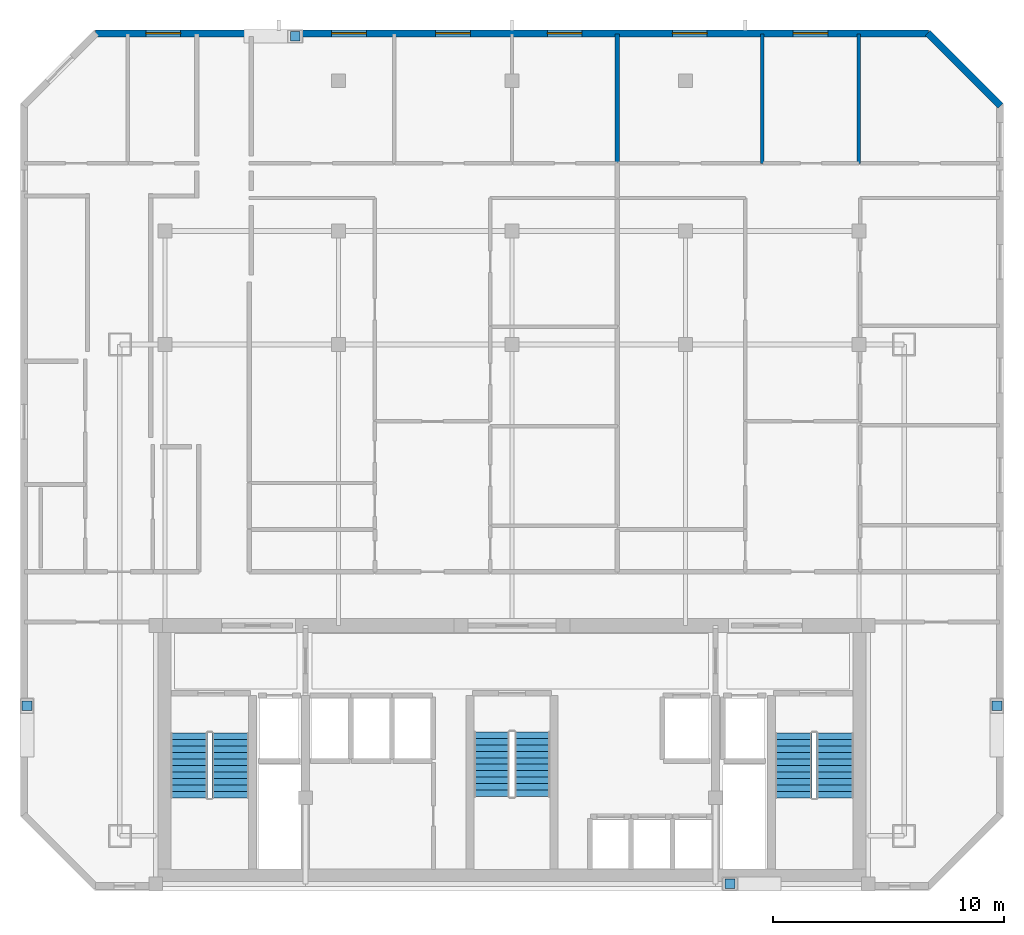
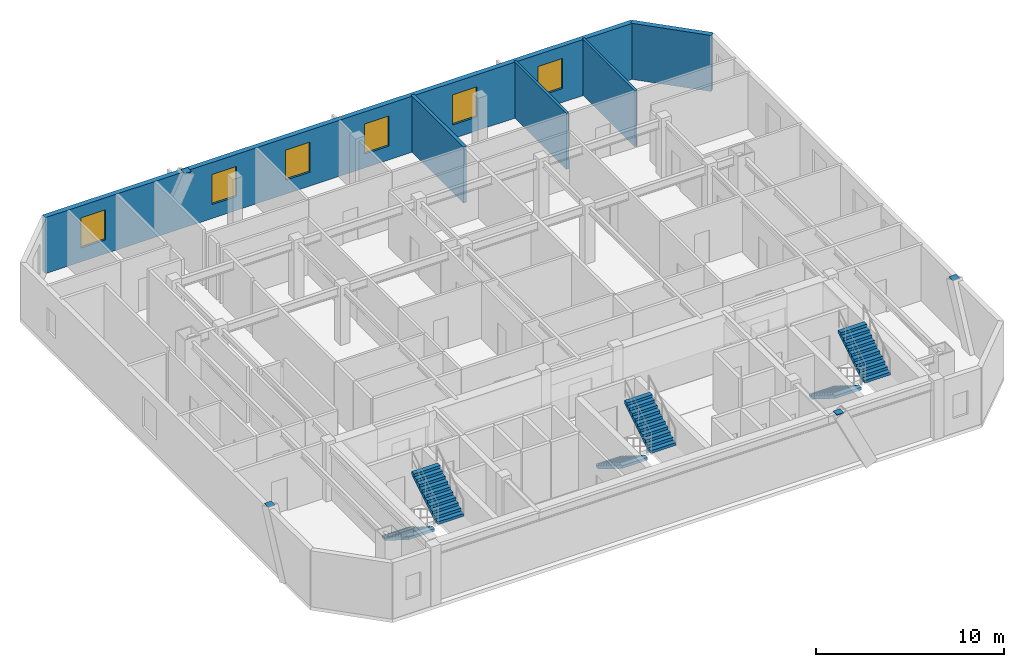
# One storey, part 6 of 7: 6 stair flights, 6 windows, 5 walls, 4 discrete accessories, 6 openings, 3 elements without a shape of their own.
"""IFC4 building model written with IfcOpenShell, lengths in metres."""

from ifc_helpers import new_model, si_unit, direction, frame, frame_2d, origin, origin_2d, place, context, subcontext, project, spatial, polyline, rectangle, outline, extrude, material, layer, layer_set, type_object, element, fill, aggregate, save


model = new_model("IFC4")

# Units and contexts
model_context = context("Model", 3, precision=1e-05, world=origin(), true_north=direction((0.0, 1.0)))
body_context = subcontext(model_context, "Body", "Model", "MODEL_VIEW")
ifc_project = project(units=[si_unit("LENGTHUNIT", "METRE"), si_unit("AREAUNIT", "SQUARE_METRE"), si_unit("VOLUMEUNIT", "CUBIC_METRE"), si_unit("PLANEANGLEUNIT", "RADIAN"), si_unit("MASSUNIT", "GRAM", prefix="KILO")], contexts=[model_context])

# Site, building, storey
site_placement = place(None, origin())
site = spatial("IfcSite", under=ifc_project, at=site_placement, CompositionType="ELEMENT")
building_placement = place(site_placement, origin())
building = spatial("IfcBuilding", under=site, at=building_placement, Name="Ventersveld Concourse Tower", CompositionType="ELEMENT")
storey_placement = place(building_placement, frame((0.0, 0.0, 227.25)))
storey = spatial("IfcBuildingStorey", under=building, at=storey_placement, Name="L56", CompositionType="ELEMENT", Elevation=227.25)

# Walls
ifc_material_1 = material(Name="Fire-rated autoclaved aerated masonry blockwork", Category="masonry")
ifc_layer_1 = layer(ifc_material_1, 0.199951171875)
ifc_layer_set_1 = layer_set([ifc_layer_1], Name="Fire-rated autoclaved aerated masonry blockwork")
wall_type_1 = type_object("IfcWallType", Name="WL-DEMISE-200", PredefinedType="PARTITIONING", material=ifc_layer_set_1)
wall_1_placement = place(storey_placement, frame((33.300048828125, 31.465087890625, 0.0), z_axis=(0.0, 0.0, 1.0), x_axis=(0.0, 1.0, 0.0)))
element("IfcWall", 1, at=wall_1_placement, inside=storey, type_object=wall_type_1, Name="L56 Interior Partition SP-L56-56N1-BR3-SP-L56-56N2-BR1", PredefinedType="PARTITIONING", context=body_context, shape_type="SweptSolid", body=[
    extrude(rectangle(XDim=5.5625, YDim=0.199951171875, at=frame_2d((2.78125, 0.0))), origin(), (0.0, 0.0, 1.0), 3.6298828125),
])
ifc_material_2 = material(Name="Autoclaved aerated masonry blockwork", Category="masonry")
ifc_layer_2 = layer(ifc_material_2, 0.14990234375)
ifc_layer_set_2 = layer_set([ifc_layer_2], Name="Autoclaved aerated masonry blockwork")
wall_type_2 = type_object("IfcWallType", Name="WL-INT-150", PredefinedType="PARTITIONING", material=ifc_layer_set_2)
for number, where, z_axis, x_axis, name in (
    (2, (39.56396484375, 31.425048828125, 0.0), (0.0, 0.0, 1.0), (0.0, 1.0, 0.0), "L56 Interior Partition SP-L56-56N2-BR1-SP-L56-56N2-BR2"),
    (3, (43.75, 31.425048828125, 0.0), (0.0, 0.0, 1.0), (0.0, 1.0, 0.0), "L56 Interior Partition SP-L56-56N2-BR2-SP-L56-56N2-BR3"),
):
    element("IfcWall", number, at=place(storey_placement, frame(where, z_axis=z_axis, x_axis=x_axis)), inside=storey, type_object=wall_type_2, Name=name, PredefinedType="PARTITIONING", context=body_context, shape_type="SweptSolid", body=[
        extrude(rectangle(XDim=5.6025390625, YDim=0.14990234375, at=frame_2d((2.80126953125, 0.0))), origin(), (0.0, 0.0, 1.0), 3.6298828125),
    ])
ifc_material_3 = material(Name="Precast concrete C45/55", Category="concrete")
ifc_layer_3 = layer(ifc_material_3, 0.300048828125)
ifc_layer_set_3 = layer_set([ifc_layer_3], Name="Precast concrete C45/55")
wall_type_3 = type_object("IfcWallType", Name="WL-PREC-300", PredefinedType="SOLIDWALL", material=ifc_layer_set_3)
wall_2_placement = place(storey_placement, frame((49.865478515625, 33.922119140625, 0.0), z_axis=(0.0, 0.0, 1.0), x_axis=(-0.707079321262, 0.707134240044, 0.0)))
element("IfcWall", 4, at=wall_2_placement, inside=storey, type_object=wall_type_3, Name="L56 Highveld Precast Facade Wall E04", PredefinedType="SOLIDWALL", context=body_context, shape_type="SweptSolid", body=[
    extrude(rectangle(XDim=4.445556640625, YDim=0.300048828125, at=frame_2d((2.22265625, 0.0))), origin(), (0.0, 0.0, 1.0), 3.6298828125),
])

# Wall, openings, windows
wall_3_placement = place(storey_placement, frame((46.760009765625, 37.050048828125, 0.0), z_axis=(0.0, 0.0, 1.0), x_axis=(-1.0, 0.0, 0.0)))
wall_3 = element("IfcWall", 5, at=wall_3_placement, inside=storey, type_object=wall_type_3, Name="L56 Highveld Precast Facade Wall E05", PredefinedType="SOLIDWALL", context=body_context, shape_type="SweptSolid", body=[
    extrude(rectangle(XDim=36.02001953125, YDim=0.300048828125, at=frame_2d((18.010009765625, 0.0))), origin(), (0.0, 0.0, 1.0), 3.6298828125),
])
opening_1_placement = place(wall_3_placement, frame((32.3369140625, 0.0, 0.89990234375)))
opening_1 = element("IfcOpeningElement", 6, at=opening_1_placement, cuts=wall_3, Name="Opening W1", PredefinedType="OPENING", context=body_context, shape_type="SweptSolid", body=[
    extrude(rectangle(XDim=1.5, YDim=1.949951171875, at=frame_2d((0.75, 0.97509765625))), frame((0.0, 0.16015625, 0.0), z_axis=(0.0, -1.0, 0.0), x_axis=(1.0, 0.0, 0.0)), (0.0, 0.0, 1.0), 0.320068359375),
])
opening_2_placement = place(wall_3_placement, frame((24.308837890625, 0.0, 0.89990234375)))
opening_2 = element("IfcOpeningElement", 7, at=opening_2_placement, cuts=wall_3, Name="Opening W1", PredefinedType="OPENING", context=body_context, shape_type="SweptSolid", body=[
    extrude(rectangle(XDim=1.5, YDim=1.949951171875, at=frame_2d((0.75, 0.97509765625))), frame((0.0, 0.16015625, 0.0), z_axis=(0.0, -1.0, 0.0), x_axis=(1.0, 0.0, 0.0)), (0.0, 0.0, 1.0), 0.320068359375),
])
opening_3_placement = place(wall_3_placement, frame((19.80810546875, 0.0, 0.89990234375)))
opening_3 = element("IfcOpeningElement", 8, at=opening_3_placement, cuts=wall_3, Name="Opening W1", PredefinedType="OPENING", context=body_context, shape_type="SweptSolid", body=[
    extrude(rectangle(XDim=1.5, YDim=1.949951171875, at=frame_2d((0.75, 0.97509765625))), frame((0.0, 0.16015625, 0.0), z_axis=(0.0, -1.0, 0.0), x_axis=(1.0, 0.0, 0.0)), (0.0, 0.0, 1.0), 0.320068359375),
])
opening_4_placement = place(wall_3_placement, frame((14.985107421875, 0.0, 0.89990234375)))
opening_4 = element("IfcOpeningElement", 9, at=opening_4_placement, cuts=wall_3, Name="Opening W1", PredefinedType="OPENING", context=body_context, shape_type="SweptSolid", body=[
    extrude(rectangle(XDim=1.5, YDim=1.949951171875, at=frame_2d((0.75, 0.97509765625))), frame((0.0, 0.16015625, 0.0), z_axis=(0.0, -1.0, 0.0), x_axis=(1.0, 0.0, 0.0)), (0.0, 0.0, 1.0), 0.320068359375),
])
opening_5_placement = place(wall_3_placement, frame((9.577880859375, 0.0, 0.89990234375)))
opening_5 = element("IfcOpeningElement", 10, at=opening_5_placement, cuts=wall_3, Name="Opening W1", PredefinedType="OPENING", context=body_context, shape_type="SweptSolid", body=[
    extrude(rectangle(XDim=1.5, YDim=1.949951171875, at=frame_2d((0.75, 0.97509765625))), frame((0.0, 0.16015625, 0.0), z_axis=(0.0, -1.0, 0.0), x_axis=(1.0, 0.0, 0.0)), (0.0, 0.0, 1.0), 0.320068359375),
])
opening_6_placement = place(wall_3_placement, frame((4.35302734375, 0.0, 0.89990234375)))
opening_6 = element("IfcOpeningElement", 11, at=opening_6_placement, cuts=wall_3, Name="Opening W1", PredefinedType="OPENING", context=body_context, shape_type="SweptSolid", body=[
    extrude(rectangle(XDim=1.5, YDim=1.949951171875, at=frame_2d((0.75, 0.97509765625))), frame((0.0, 0.16015625, 0.0), z_axis=(0.0, -1.0, 0.0), x_axis=(1.0, 0.0, 0.0)), (0.0, 0.0, 1.0), 0.320068359375),
])
ifc_material_4 = material(Name="Tempered acoustic Low-E IGU", Category="glass")
window_type = type_object("IfcWindowType", Name="WIN-150x210", PartitioningType="SINGLE_PANEL", PredefinedType="WINDOW", material=ifc_material_4)
window_1_placement = place(opening_1_placement, origin())
window_1 = element("IfcWindow", 12, at=window_1_placement, inside=storey, type_object=window_type, Name="L56 Punched Low-E Window W-0801", OverallHeight=1.949951171875, OverallWidth=1.5, PartitioningType="SINGLE_PANEL", PredefinedType="WINDOW", context=body_context, shape_type="SweptSolid", body=[
    extrude(rectangle(XDim=1.5, YDim=1.949951171875, at=frame_2d((0.75, 0.97509765625))), frame((0.0, 0.030029296875, 0.0), z_axis=(0.0, -1.0, 0.0), x_axis=(1.0, 0.0, 0.0)), (0.0, 0.0, 1.0), 0.06005859375),
])
fill(opening_1, window_1)
window_2_placement = place(opening_2_placement, origin())
window_2 = element("IfcWindow", 13, at=window_2_placement, inside=storey, type_object=window_type, Name="L56 Punched Low-E Window W-0802", OverallHeight=1.949951171875, OverallWidth=1.5, PartitioningType="SINGLE_PANEL", PredefinedType="WINDOW", context=body_context, shape_type="SweptSolid", body=[
    extrude(rectangle(XDim=1.5, YDim=1.949951171875, at=frame_2d((0.75, 0.97509765625))), frame((0.0, 0.030029296875, 0.0), z_axis=(0.0, -1.0, 0.0), x_axis=(1.0, 0.0, 0.0)), (0.0, 0.0, 1.0), 0.06005859375),
])
fill(opening_2, window_2)
window_3_placement = place(opening_3_placement, origin())
window_3 = element("IfcWindow", 14, at=window_3_placement, inside=storey, type_object=window_type, Name="L56 Punched Low-E Window W-0803", OverallHeight=1.949951171875, OverallWidth=1.5, PartitioningType="SINGLE_PANEL", PredefinedType="WINDOW", context=body_context, shape_type="SweptSolid", body=[
    extrude(rectangle(XDim=1.5, YDim=1.949951171875, at=frame_2d((0.75, 0.97509765625))), frame((0.0, 0.030029296875, 0.0), z_axis=(0.0, -1.0, 0.0), x_axis=(1.0, 0.0, 0.0)), (0.0, 0.0, 1.0), 0.06005859375),
])
fill(opening_3, window_3)
window_4_placement = place(opening_4_placement, origin())
window_4 = element("IfcWindow", 15, at=window_4_placement, inside=storey, type_object=window_type, Name="L56 Punched Low-E Window W-0804", OverallHeight=1.949951171875, OverallWidth=1.5, PartitioningType="SINGLE_PANEL", PredefinedType="WINDOW", context=body_context, shape_type="SweptSolid", body=[
    extrude(rectangle(XDim=1.5, YDim=1.949951171875, at=frame_2d((0.75, 0.97509765625))), frame((0.0, 0.030029296875, 0.0), z_axis=(0.0, -1.0, 0.0), x_axis=(1.0, 0.0, 0.0)), (0.0, 0.0, 1.0), 0.06005859375),
])
fill(opening_4, window_4)
window_5_placement = place(opening_5_placement, origin())
window_5 = element("IfcWindow", 16, at=window_5_placement, inside=storey, type_object=window_type, Name="L56 Punched Low-E Window W-0810", OverallHeight=1.949951171875, OverallWidth=1.5, PartitioningType="SINGLE_PANEL", PredefinedType="WINDOW", context=body_context, shape_type="SweptSolid", body=[
    extrude(rectangle(XDim=1.5, YDim=1.949951171875, at=frame_2d((0.75, 0.97509765625))), frame((0.0, 0.030029296875, 0.0), z_axis=(0.0, -1.0, 0.0), x_axis=(1.0, 0.0, 0.0)), (0.0, 0.0, 1.0), 0.06005859375),
])
fill(opening_5, window_5)
window_6_placement = place(opening_6_placement, origin())
window_6 = element("IfcWindow", 17, at=window_6_placement, inside=storey, type_object=window_type, Name="L56 Punched Low-E Window W-0811", OverallHeight=1.949951171875, OverallWidth=1.5, PartitioningType="SINGLE_PANEL", PredefinedType="WINDOW", context=body_context, shape_type="SweptSolid", body=[
    extrude(rectangle(XDim=1.5, YDim=1.949951171875, at=frame_2d((0.75, 0.97509765625))), frame((0.0, 0.030029296875, 0.0), z_axis=(0.0, -1.0, 0.0), x_axis=(1.0, 0.0, 0.0)), (0.0, 0.0, 1.0), 0.06005859375),
])
fill(opening_6, window_6)

# Stair, stair flights
ifc_material_5 = material(Name="Concrete C50/60", Category="concrete")
stair_type_1 = type_object("IfcStairType", Name="ST-DOG-155", PredefinedType="HALF_TURN_STAIR", material=ifc_material_5)
stair_1_placement = place(storey_placement, origin())
stair_1 = element("IfcStair", 18, at=stair_1_placement, inside=storey, type_object=stair_type_1, Name="L56 Protected Central Core Escape Stair ST-03", PredefinedType="HALF_TURN_STAIR")
stair_flight_type_1 = type_object("IfcStairFlightType", Name="STF-RC-155", PredefinedType="STRAIGHT", material=ifc_material_5)
stair_flight_1_placement = place(storey_placement, frame((27.875, 6.85009765625, 0.0), z_axis=(0.0, 0.0, 1.0), x_axis=(0.0, -1.0, 0.0)))
stair_flight_1 = element("IfcStairFlight", 19, at=stair_flight_1_placement, type_object=stair_flight_type_1, Name="ST-03 flight 1", NumberOfRisers=11, NumberOfTreads=10, PredefinedType="STRAIGHT", RiserHeight=0.175, TreadLength=0.28, context=body_context, shape_type="SweptSolid", body=[
    extrude(outline(polyline([(0.0, 0.0), (0.0, 0.175048828125), (0.280029296875, 0.175048828125), (0.280029296875, 0.35009765625), (0.56005859375, 0.35009765625), (0.56005859375, 0.52490234375), (0.840087890625, 0.52490234375), (0.840087890625, 0.699951171875), (1.1201171875, 0.699951171875), (1.1201171875, 0.875), (1.39990234375, 0.875), (1.39990234375, 1.050048828125), (1.679931640625, 1.050048828125), (1.679931640625, 1.22509765625), (1.9599609375, 1.22509765625), (1.9599609375, 1.39990234375), (2.239990234375, 1.39990234375), (2.239990234375, 1.574951171875), (2.52001953125, 1.574951171875), (2.52001953125, 1.75), (2.800048828125, 1.75), (2.800048828125, 1.925048828125), (2.800048828125, 1.5732421875), (0.28271484375, 0.0), (0.0, 0.0)])), frame((0.0, 0.77490234375, 0.0), z_axis=(0.0, -1.0, 0.0), x_axis=(1.0, 0.0, 0.0)), (0.0, 0.0, 1.0), 1.550048828125),
])
stair_flight_2_placement = place(storey_placement, frame((29.625, 4.050048828125, 1.925048828125), z_axis=(0.0, 0.0, 1.0), x_axis=(0.0, 1.0, 0.0)))
stair_flight_2 = element("IfcStairFlight", 20, at=stair_flight_2_placement, type_object=stair_flight_type_1, Name="ST-03 flight 2", NumberOfRisers=11, NumberOfTreads=10, PredefinedType="STRAIGHT", RiserHeight=0.175, TreadLength=0.28, context=body_context, shape_type="SweptSolid", body=[
    extrude(outline(polyline([(0.0, 0.0), (0.0, 0.175048828125), (0.280029296875, 0.175048828125), (0.280029296875, 0.35009765625), (0.56005859375, 0.35009765625), (0.56005859375, 0.52490234375), (0.840087890625, 0.52490234375), (0.840087890625, 0.699951171875), (1.1201171875, 0.699951171875), (1.1201171875, 0.875), (1.39990234375, 0.875), (1.39990234375, 1.050048828125), (1.679931640625, 1.050048828125), (1.679931640625, 1.22509765625), (1.9599609375, 1.22509765625), (1.9599609375, 1.39990234375), (2.239990234375, 1.39990234375), (2.239990234375, 1.574951171875), (2.52001953125, 1.574951171875), (2.52001953125, 1.75), (2.800048828125, 1.75), (2.800048828125, 1.925048828125), (2.800048828125, 1.5732421875), (0.28271484375, 0.0), (0.0, 0.0)])), frame((0.0, 0.77490234375, 0.0), z_axis=(0.0, -1.0, 0.0), x_axis=(1.0, 0.0, 0.0)), (0.0, 0.0, 1.0), 1.550048828125),
])
aggregate(stair_1, [stair_flight_1, stair_flight_2])

stair_type_2 = type_object("IfcStairType", Name="ST-DOG-160", PredefinedType="HALF_TURN_STAIR", material=ifc_material_5)
stair_2_placement = place(storey_placement, origin())
stair_2 = element("IfcStair", 21, at=stair_2_placement, inside=storey, type_object=stair_type_2, Name="L56 Protected Tower Escape Stair ST-01", PredefinedType="HALF_TURN_STAIR")
stair_flight_type_2 = type_object("IfcStairFlightType", Name="STF-RC-160", PredefinedType="STRAIGHT", material=ifc_material_5)
stair_flight_3_placement = place(storey_placement, frame((14.780029296875, 6.800048828125, 0.0), z_axis=(0.0, 0.0, 1.0), x_axis=(0.0, -1.0, 0.0)))
stair_flight_3 = element("IfcStairFlight", 22, at=stair_flight_3_placement, type_object=stair_flight_type_2, Name="ST-01 flight 1", NumberOfRisers=11, NumberOfTreads=10, PredefinedType="STRAIGHT", RiserHeight=0.175, TreadLength=0.28, context=body_context, shape_type="SweptSolid", body=[
    extrude(outline(polyline([(0.0, 0.0), (0.0, 0.175048828125), (0.280029296875, 0.175048828125), (0.280029296875, 0.35009765625), (0.56005859375, 0.35009765625), (0.56005859375, 0.52490234375), (0.840087890625, 0.52490234375), (0.840087890625, 0.699951171875), (1.1201171875, 0.699951171875), (1.1201171875, 0.875), (1.39990234375, 0.875), (1.39990234375, 1.050048828125), (1.679931640625, 1.050048828125), (1.679931640625, 1.22509765625), (1.9599609375, 1.22509765625), (1.9599609375, 1.39990234375), (2.239990234375, 1.39990234375), (2.239990234375, 1.574951171875), (2.52001953125, 1.574951171875), (2.52001953125, 1.75), (2.800048828125, 1.75), (2.800048828125, 1.925048828125), (2.800048828125, 1.5732421875), (0.28271484375, 0.0), (0.0, 0.0)])), frame((0.0, 0.800048828125, 0.0), z_axis=(0.0, -1.0, 0.0), x_axis=(1.0, 0.0, 0.0)), (0.0, 0.0, 1.0), 1.60009765625),
])
stair_flight_4_placement = place(storey_placement, frame((16.580078125, 4.0, 1.925048828125), z_axis=(0.0, 0.0, 1.0), x_axis=(0.0, 1.0, 0.0)))
stair_flight_4 = element("IfcStairFlight", 23, at=stair_flight_4_placement, type_object=stair_flight_type_2, Name="ST-01 flight 2", NumberOfRisers=11, NumberOfTreads=10, PredefinedType="STRAIGHT", RiserHeight=0.175, TreadLength=0.28, context=body_context, shape_type="SweptSolid", body=[
    extrude(outline(polyline([(0.0, 0.0), (0.0, 0.175048828125), (0.280029296875, 0.175048828125), (0.280029296875, 0.35009765625), (0.56005859375, 0.35009765625), (0.56005859375, 0.52490234375), (0.840087890625, 0.52490234375), (0.840087890625, 0.699951171875), (1.1201171875, 0.699951171875), (1.1201171875, 0.875), (1.39990234375, 0.875), (1.39990234375, 1.050048828125), (1.679931640625, 1.050048828125), (1.679931640625, 1.22509765625), (1.9599609375, 1.22509765625), (1.9599609375, 1.39990234375), (2.239990234375, 1.39990234375), (2.239990234375, 1.574951171875), (2.52001953125, 1.574951171875), (2.52001953125, 1.75), (2.800048828125, 1.75), (2.800048828125, 1.925048828125), (2.800048828125, 1.5732421875), (0.28271484375, 0.0), (0.0, 0.0)])), frame((0.0, 0.800048828125, 0.0), z_axis=(0.0, -1.0, 0.0), x_axis=(1.0, 0.0, 0.0)), (0.0, 0.0, 1.0), 1.60009765625),
])
aggregate(stair_2, [stair_flight_3, stair_flight_4])

stair_3_placement = place(storey_placement, origin())
stair_3 = element("IfcStair", 24, at=stair_3_placement, inside=storey, type_object=stair_type_2, Name="L56 Protected Tower Escape Stair ST-02", PredefinedType="HALF_TURN_STAIR")
stair_flight_5_placement = place(storey_placement, frame((40.919921875, 6.800048828125, 0.0), z_axis=(0.0, 0.0, 1.0), x_axis=(0.0, -1.0, 0.0)))
stair_flight_5 = element("IfcStairFlight", 25, at=stair_flight_5_placement, type_object=stair_flight_type_2, Name="ST-02 flight 1", NumberOfRisers=11, NumberOfTreads=10, PredefinedType="STRAIGHT", RiserHeight=0.175, TreadLength=0.28, context=body_context, shape_type="SweptSolid", body=[
    extrude(outline(polyline([(0.0, 0.0), (0.0, 0.175048828125), (0.280029296875, 0.175048828125), (0.280029296875, 0.35009765625), (0.56005859375, 0.35009765625), (0.56005859375, 0.52490234375), (0.840087890625, 0.52490234375), (0.840087890625, 0.699951171875), (1.1201171875, 0.699951171875), (1.1201171875, 0.875), (1.39990234375, 0.875), (1.39990234375, 1.050048828125), (1.679931640625, 1.050048828125), (1.679931640625, 1.22509765625), (1.9599609375, 1.22509765625), (1.9599609375, 1.39990234375), (2.239990234375, 1.39990234375), (2.239990234375, 1.574951171875), (2.52001953125, 1.574951171875), (2.52001953125, 1.75), (2.800048828125, 1.75), (2.800048828125, 1.925048828125), (2.800048828125, 1.5732421875), (0.28271484375, 0.0), (0.0, 0.0)])), frame((0.0, 0.800048828125, 0.0), z_axis=(0.0, -1.0, 0.0), x_axis=(1.0, 0.0, 0.0)), (0.0, 0.0, 1.0), 1.60009765625),
])
stair_flight_6_placement = place(storey_placement, frame((42.719970703125, 4.0, 1.925048828125), z_axis=(0.0, 0.0, 1.0), x_axis=(0.0, 1.0, 0.0)))
stair_flight_6 = element("IfcStairFlight", 26, at=stair_flight_6_placement, type_object=stair_flight_type_2, Name="ST-02 flight 2", NumberOfRisers=11, NumberOfTreads=10, PredefinedType="STRAIGHT", RiserHeight=0.175, TreadLength=0.28, context=body_context, shape_type="SweptSolid", body=[
    extrude(outline(polyline([(0.0, 0.0), (0.0, 0.175048828125), (0.280029296875, 0.175048828125), (0.280029296875, 0.35009765625), (0.56005859375, 0.35009765625), (0.56005859375, 0.52490234375), (0.840087890625, 0.52490234375), (0.840087890625, 0.699951171875), (1.1201171875, 0.699951171875), (1.1201171875, 0.875), (1.39990234375, 0.875), (1.39990234375, 1.050048828125), (1.679931640625, 1.050048828125), (1.679931640625, 1.22509765625), (1.9599609375, 1.22509765625), (1.9599609375, 1.39990234375), (2.239990234375, 1.39990234375), (2.239990234375, 1.574951171875), (2.52001953125, 1.574951171875), (2.52001953125, 1.75), (2.800048828125, 1.75), (2.800048828125, 1.925048828125), (2.800048828125, 1.5732421875), (0.28271484375, 0.0), (0.0, 0.0)])), frame((0.0, 0.800048828125, 0.0), z_axis=(0.0, -1.0, 0.0), x_axis=(1.0, 0.0, 0.0)), (0.0, 0.0, 1.0), 1.60009765625),
])
aggregate(stair_3, [stair_flight_5, stair_flight_6])

# Discrete accessories
ifc_material_6 = material(Name="Structural steel S355J2", Category="steel")
discrete_accessory_type = type_object("IfcDiscreteAccessoryType", Name="CONN-BRACE-ECP1", PredefinedType="BRACKET", material=ifc_material_6)
for number, where, z_axis, x_axis, name in (
    (27, (19.375, 36.919921875, 3.60986328125), (0.0, 0.0, 1.0), (1.0, 0.0, 0.0), "L56 Steel Brace End Connection Plate ECP1-0404"),
    (28, (38.175048828125, 0.280029296875, 3.60986328125), (0.0, 0.0, 1.0), (1.0, 0.0, 0.0), "L56 Steel Brace End Connection Plate ECP1-0408"),
    (29, (7.780029296875, 7.97509765625, 3.60986328125), (0.0, 0.0, 1.0), (1.0, 0.0, 0.0), "L56 Steel Brace End Connection Plate ECP1-0413"),
    (30, (49.719970703125, 7.97509765625, 3.60986328125), (0.0, 0.0, 1.0), (1.0, 0.0, 0.0), "L56 Steel Brace End Connection Plate ECP1-0418"),
):
    element("IfcDiscreteAccessory", number, at=place(storey_placement, frame(where, z_axis=z_axis, x_axis=x_axis)), inside=storey, type_object=discrete_accessory_type, Name=name, PredefinedType="BRACKET", context=body_context, shape_type="SweptSolid", body=[
        extrude(rectangle(XDim=0.419921875, YDim=0.419921875, at=origin_2d()), origin(), (0.0, 0.0, 1.0), 0.0400390625),
    ])

save(model, "model.ifc")
